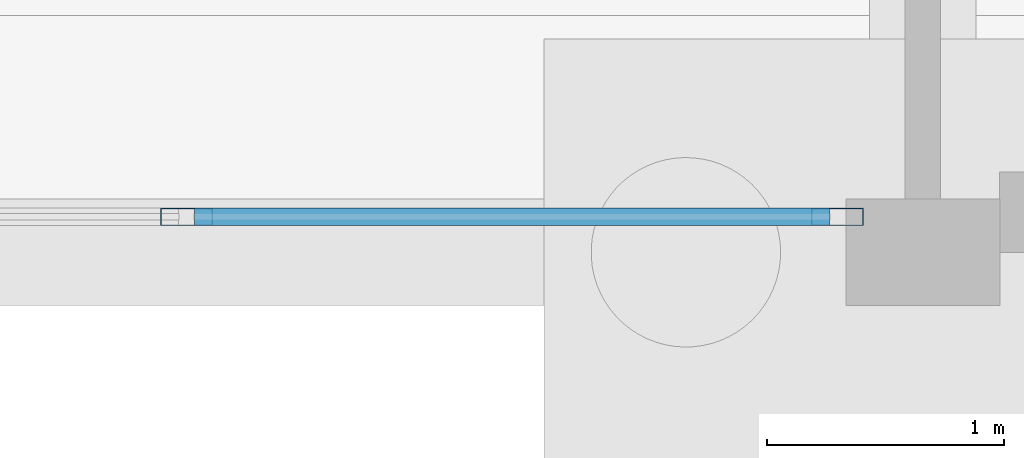
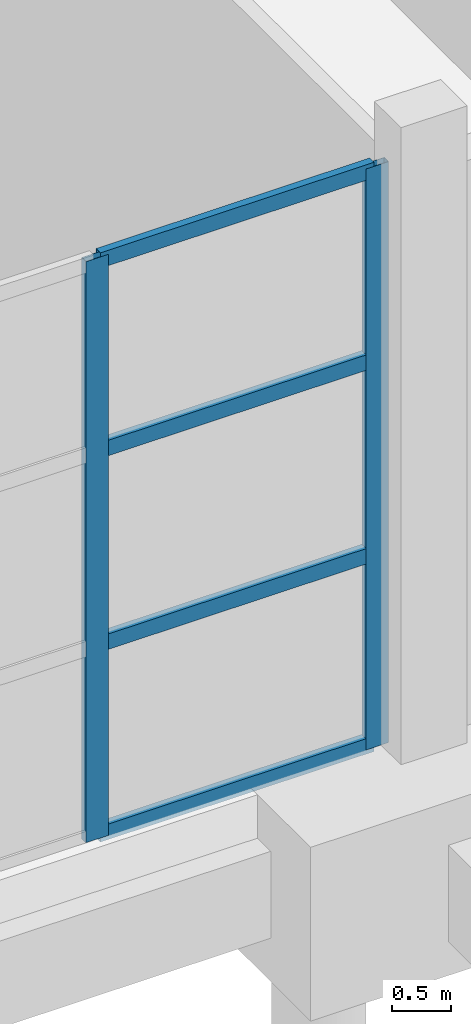
# One storey, part 51 of 115: 6 members, 1 element without a shape of its own.
"""IFC4 building model written with IfcOpenShell, lengths in metres."""

from ifc_helpers import new_model, si_unit, direction, frame, origin, origin_2d, place, context, subcontext, project, spatial, hollow_rectangle, extrude, material, layer, layer_set, material_profile, profile_set, type_object, element, aggregate, save


model = new_model("IFC4")

# Units and contexts
model_context = context("Model", 3, precision=1e-05, world=origin(), true_north=direction((0.0, 1.0)))
body_context = subcontext(model_context, "Body", "Model", "MODEL_VIEW")
ifc_project = project(units=[si_unit("LENGTHUNIT", "METRE"), si_unit("AREAUNIT", "SQUARE_METRE"), si_unit("VOLUMEUNIT", "CUBIC_METRE"), si_unit("PLANEANGLEUNIT", "RADIAN"), si_unit("MASSUNIT", "GRAM", prefix="KILO")], contexts=[model_context])

# Site, building, storey
site_placement = place(None, origin())
site = spatial("IfcSite", under=ifc_project, at=site_placement, CompositionType="ELEMENT")
building_placement = place(site_placement, origin())
building = spatial("IfcBuilding", under=site, at=building_placement, Name="Tamarisk Ironworks Central Station", CompositionType="ELEMENT")
storey_placement = place(building_placement, origin())
storey = spatial("IfcBuildingStorey", under=building, at=storey_placement, Name="L00", CompositionType="ELEMENT", Elevation=0.0)

# Curtain wall, members
ifc_material = material(Name="Anodized aluminium alloy 6063-T6", Category="aluminium")
ifc_layer = layer(ifc_material, 0.179931640625)
ifc_layer_set = layer_set([ifc_layer], Name="Anodized aluminium alloy 6063-T6")
curtain_wall_type = type_object("IfcCurtainWallType", Name="CW-09", PredefinedType="USERDEFINED", material=ifc_layer_set)
curtain_wall_placement = place(storey_placement, origin())
curtain_wall = element("IfcCurtainWall", 1, at=curtain_wall_placement, inside=storey, type_object=curtain_wall_type, Name="Pavilion L00 S glazed arcade 27", ObjectType="GLAZED CURTAIN WALL", PredefinedType="USERDEFINED")
ifc_material_profile_1 = material_profile(ifc_material, hollow_rectangle(XDim=0.074951171875, YDim=0.219970703125, WallThickness=0.00390625, at=origin_2d()), Name="ALUM 220x75")
ifc_profile_set_1 = profile_set([ifc_material_profile_1], Name="Anodized aluminium alloy 6063-T6")
member_type_1 = type_object("IfcMemberType", Name="CWM-01", PredefinedType="MULLION", material=ifc_profile_set_1)
member_1_placement = place(storey_placement, frame((32.892333984375, 90.14990234375, 0.0), z_axis=(0.0, 0.0, 1.0), x_axis=(0.0, 1.0, 0.0)))
member_1 = element("IfcMember", 2, at=member_1_placement, type_object=member_type_1, Name="CW09 mullion 3", PredefinedType="MULLION", context=body_context, shape_type="SweptSolid", body=[
    extrude(hollow_rectangle(XDim=0.074951171875, YDim=0.219970703125, WallThickness=0.00390625, at=origin_2d()), origin(), (0.0, 0.0, 1.0), 6.02001953125),
])
member_2_placement = place(storey_placement, frame((35.639404296875, 90.14990234375, 0.0), z_axis=(0.0, 0.0, 1.0), x_axis=(0.0, 1.0, 0.0)))
member_2 = element("IfcMember", 3, at=member_2_placement, type_object=member_type_1, Name="CW09 mullion 4", PredefinedType="MULLION", context=body_context, shape_type="SweptSolid", body=[
    extrude(hollow_rectangle(XDim=0.074951171875, YDim=0.219970703125, WallThickness=0.00390625, at=origin_2d()), origin(), (0.0, 0.0, 1.0), 6.02001953125),
])
ifc_material_profile_2 = material_profile(ifc_material, hollow_rectangle(XDim=0.074951171875, YDim=0.159912109375, WallThickness=0.00390625, at=origin_2d()), Name="ALUM 160x75")
ifc_profile_set_2 = profile_set([ifc_material_profile_2], Name="Anodized aluminium alloy 6063-T6")
member_type_2 = type_object("IfcMemberType", Name="CWT-01", PredefinedType="USERDEFINED", material=ifc_profile_set_2)
member_3_placement = place(storey_placement, frame((32.92578125, 90.14990234375, 0.03759765625), z_axis=(1.0, 0.0, 0.0), x_axis=(0.0, 1.0, 0.0)))
member_3 = element("IfcMember", 4, at=member_3_placement, type_object=member_type_2, Name="CW09 transom 3.1", ObjectType="TRANSOM", PredefinedType="USERDEFINED", context=body_context, shape_type="SweptSolid", body=[
    extrude(hollow_rectangle(XDim=0.074951171875, YDim=0.159912109375, WallThickness=0.00390625, at=origin_2d()), origin(), (0.0, 0.0, 1.0), 2.68017578125),
])
member_4_placement = place(storey_placement, frame((32.92578125, 90.14990234375, 2.006591796875), z_axis=(1.0, 0.0, 0.0), x_axis=(0.0, 1.0, 0.0)))
member_4 = element("IfcMember", 5, at=member_4_placement, type_object=member_type_2, Name="CW09 transom 3.2", ObjectType="TRANSOM", PredefinedType="USERDEFINED", context=body_context, shape_type="SweptSolid", body=[
    extrude(hollow_rectangle(XDim=0.074951171875, YDim=0.159912109375, WallThickness=0.00390625, at=origin_2d()), origin(), (0.0, 0.0, 1.0), 2.68017578125),
])
member_5_placement = place(storey_placement, frame((32.92578125, 90.14990234375, 4.01318359375), z_axis=(1.0, 0.0, 0.0), x_axis=(0.0, 1.0, 0.0)))
member_5 = element("IfcMember", 6, at=member_5_placement, type_object=member_type_2, Name="CW09 transom 3.3", ObjectType="TRANSOM", PredefinedType="USERDEFINED", context=body_context, shape_type="SweptSolid", body=[
    extrude(hollow_rectangle(XDim=0.074951171875, YDim=0.159912109375, WallThickness=0.00390625, at=origin_2d()), origin(), (0.0, 0.0, 1.0), 2.68017578125),
])
member_6_placement = place(storey_placement, frame((32.92578125, 90.14990234375, 5.982421875), z_axis=(1.0, 0.0, 0.0), x_axis=(0.0, 1.0, 0.0)))
member_6 = element("IfcMember", 7, at=member_6_placement, type_object=member_type_2, Name="CW09 transom 3.4", ObjectType="TRANSOM", PredefinedType="USERDEFINED", context=body_context, shape_type="SweptSolid", body=[
    extrude(hollow_rectangle(XDim=0.074951171875, YDim=0.159912109375, WallThickness=0.00390625, at=origin_2d()), origin(), (0.0, 0.0, 1.0), 2.68017578125),
])
aggregate(curtain_wall, [member_1, member_2, member_3, member_4, member_5, member_6])

save(model, "model.ifc")
